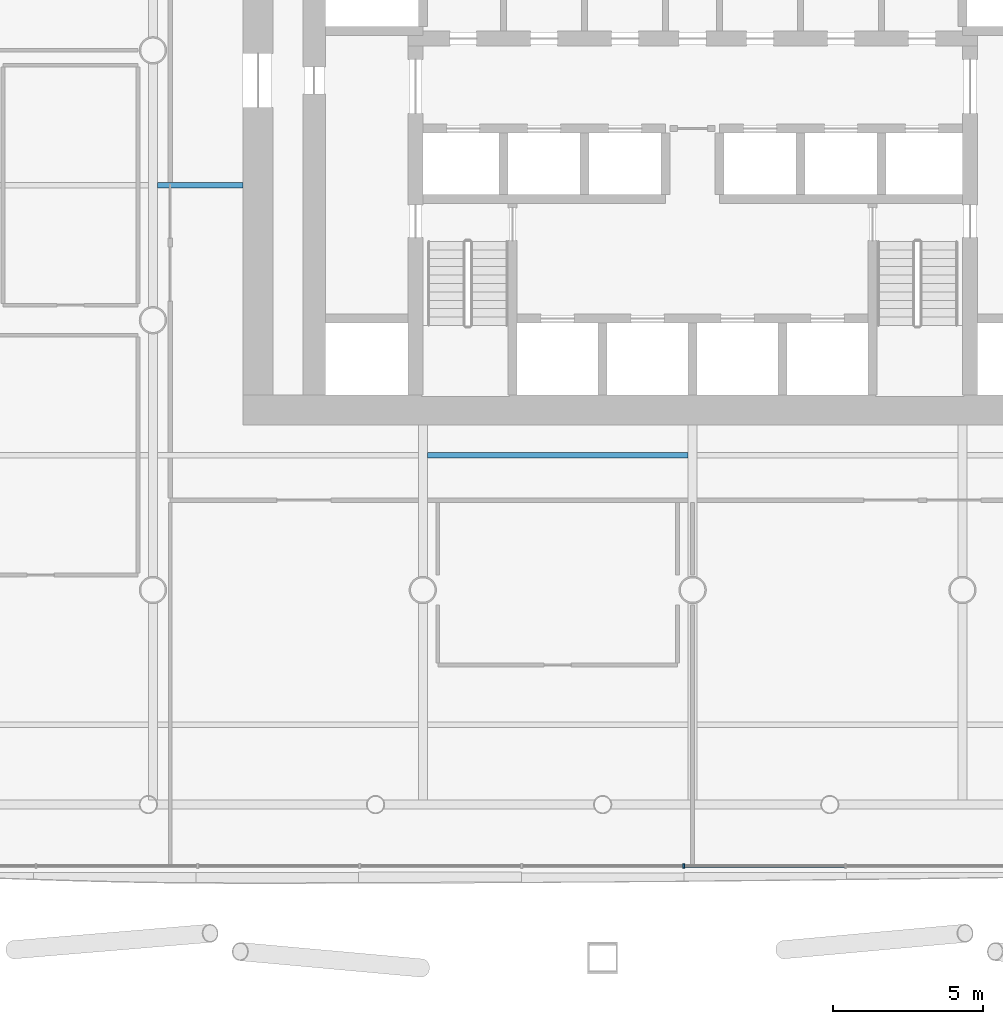
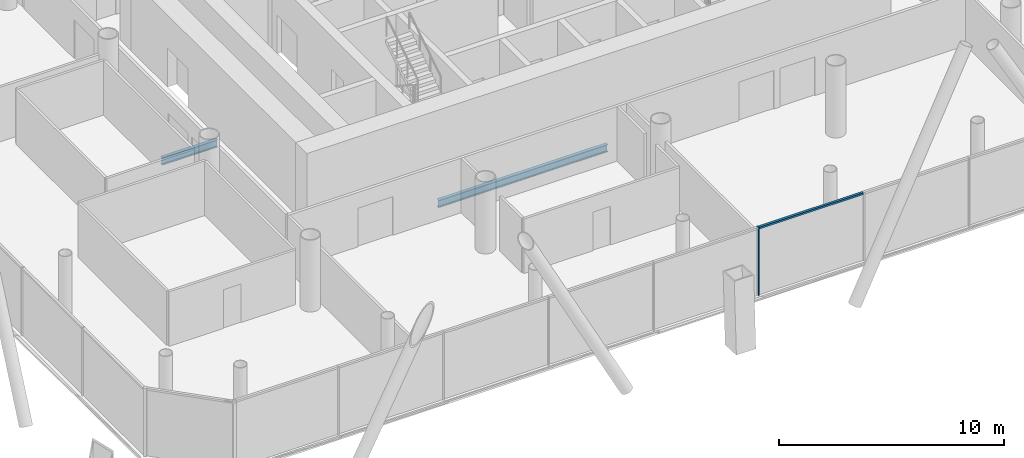
# One storey, part 6 of 25: 2 beams, 2 members, 1 element without a shape of its own.
"""IFC4 building model written with IfcOpenShell, lengths in metres."""

from ifc_helpers import new_model, si_unit, direction, frame, origin, origin_2d, place, context, subcontext, project, spatial, rectangle, i_section, extrude, material, material_profile, profile_set, type_object, element, aggregate, save


model = new_model("IFC4")

# Units and contexts
model_context = context("Model", 3, precision=1e-05, world=origin(), true_north=direction((0.0, 1.0)))
body_context = subcontext(model_context, "Body", "Model", "MODEL_VIEW")
ifc_project = project(units=[si_unit("LENGTHUNIT", "METRE"), si_unit("AREAUNIT", "SQUARE_METRE"), si_unit("VOLUMEUNIT", "CUBIC_METRE"), si_unit("PLANEANGLEUNIT", "RADIAN"), si_unit("MASSUNIT", "GRAM", prefix="KILO")], contexts=[model_context])

# Site, building, storey
site_placement = place(None, origin())
site = spatial("IfcSite", under=ifc_project, at=site_placement, CompositionType="ELEMENT")
building_placement = place(site_placement, origin())
building = spatial("IfcBuilding", under=site, at=building_placement, Name="Tskaro Facet Tower", CompositionType="ELEMENT")
storey_placement = place(building_placement, frame((0.0, 0.0, 22.5)))
storey = spatial("IfcBuildingStorey", under=building, at=storey_placement, Name="L04", CompositionType="ELEMENT", Elevation=22.5)

# Curtain wall, members
ifc_material_1 = material(Name="Bronze anodised aluminium 6063-T6", Category="aluminium")
curtain_wall_type = type_object("IfcCurtainWallType", Name="Bronze office curtain wall (FW1)", PredefinedType="NOTDEFINED", material=ifc_material_1)
curtain_wall_placement = place(storey_placement, origin())
curtain_wall = element("IfcCurtainWall", 1, at=curtain_wall_placement, inside=storey, type_object=curtain_wall_type, Name="FW1 south facet L04", PredefinedType="NOTDEFINED")
ifc_material_profile_1 = material_profile(ifc_material_1, rectangle(XDim=0.06005859375, YDim=0.159912109375, at=origin_2d()), Name="Mullion 60x160")
ifc_profile_set_1 = profile_set([ifc_material_profile_1], Name="Bronze anodised aluminium 6063-T6")
member_type_1 = type_object("IfcMemberType", Name="FW1 bronze mullion 60x160", PredefinedType="MULLION", material=ifc_profile_set_1)
member_1_placement = place(storey_placement, frame((-0.299560546875, -27.201904296875, 0.0), z_axis=(0.0, 0.0, 1.0), x_axis=(1.0, 0.0, 0.0)))
member_1 = element("IfcMember", 2, at=member_1_placement, type_object=member_type_1, Name="FW1 south mullion 5", PredefinedType="MULLION", context=body_context, shape_type="SweptSolid", body=[
    extrude(rectangle(XDim=0.06005859375, YDim=0.159912109375, at=origin_2d()), origin(), (0.0, 0.0, 1.0), 3.699951171875),
])
ifc_material_profile_2 = material_profile(ifc_material_1, rectangle(XDim=0.1201171875, YDim=0.10009765625, at=origin_2d()), Name="Transom 120x100")
ifc_profile_set_2 = profile_set([ifc_material_profile_2], Name="Bronze anodised aluminium 6063-T6")
member_type_2 = type_object("IfcMemberType", Name="FW1 bronze transom 120x100", PredefinedType="USERDEFINED", material=ifc_profile_set_2)
member_2_placement = place(storey_placement, frame((-0.26953125, -27.201904296875, 3.64990234375), z_axis=(1.0, 0.0, 0.0), x_axis=(0.0, 1.0, 0.0)))
member_2 = element("IfcMember", 3, at=member_2_placement, type_object=member_type_2, Name="FW1 south transom 6.1", ObjectType="TRANSOM", PredefinedType="USERDEFINED", context=body_context, shape_type="SweptSolid", body=[
    extrude(rectangle(XDim=0.1201171875, YDim=0.10009765625, at=origin_2d()), origin(), (0.0, 0.0, 1.0), 5.34130859375),
])
aggregate(curtain_wall, [member_1, member_2])

# Beams
ifc_material_2 = material(Name="Steel S355J2", Category="steel")
ifc_material_profile_3 = material_profile(ifc_material_2, i_section(OverallWidth=0.179931640625, OverallDepth=0.39990234375, WebThickness=0.008544921875, FlangeThickness=0.013427734375, FilletRadius=0.02099609375, at=origin_2d()), Name="IPE 400")
ifc_profile_set_3 = profile_set([ifc_material_profile_3], Name="Steel S355J2")
beam_type = type_object("IfcBeamType", Name="IPE 400 secondary beam", PredefinedType="BEAM", material=ifc_profile_set_3)
beam_1_placement = place(storey_placement, frame((-8.85009765625, -13.5, -0.340087890625), z_axis=(1.0, 0.0, 0.0), x_axis=(0.0, 1.0, 0.0)))
element("IfcBeam", 4, at=beam_1_placement, inside=storey, type_object=beam_type, Name="IPE 400 SB2a-3-1", PredefinedType="BEAM", context=body_context, shape_type="SweptSolid", body=[
    extrude(i_section(OverallWidth=0.179931640625, OverallDepth=0.39990234375, WebThickness=0.008544921875, FlangeThickness=0.013427734375, FilletRadius=0.02099609375, at=origin_2d()), origin(), (0.0, 0.0, 1.0), 8.7001953125),
])
beam_2_placement = place(storey_placement, frame((-17.85009765625, -4.5, -0.340087890625), z_axis=(1.0, 0.0, 0.0), x_axis=(0.0, 1.0, 0.0)))
element("IfcBeam", 5, at=beam_2_placement, inside=storey, type_object=beam_type, Name="IPE 400 SB3a-2-1", PredefinedType="BEAM", context=body_context, shape_type="SweptSolid", body=[
    extrude(i_section(OverallWidth=0.179931640625, OverallDepth=0.39990234375, WebThickness=0.008544921875, FlangeThickness=0.013427734375, FilletRadius=0.02099609375, at=origin_2d()), origin(), (0.0, 0.0, 1.0), 2.85009765625),
])

save(model, "model.ifc")
